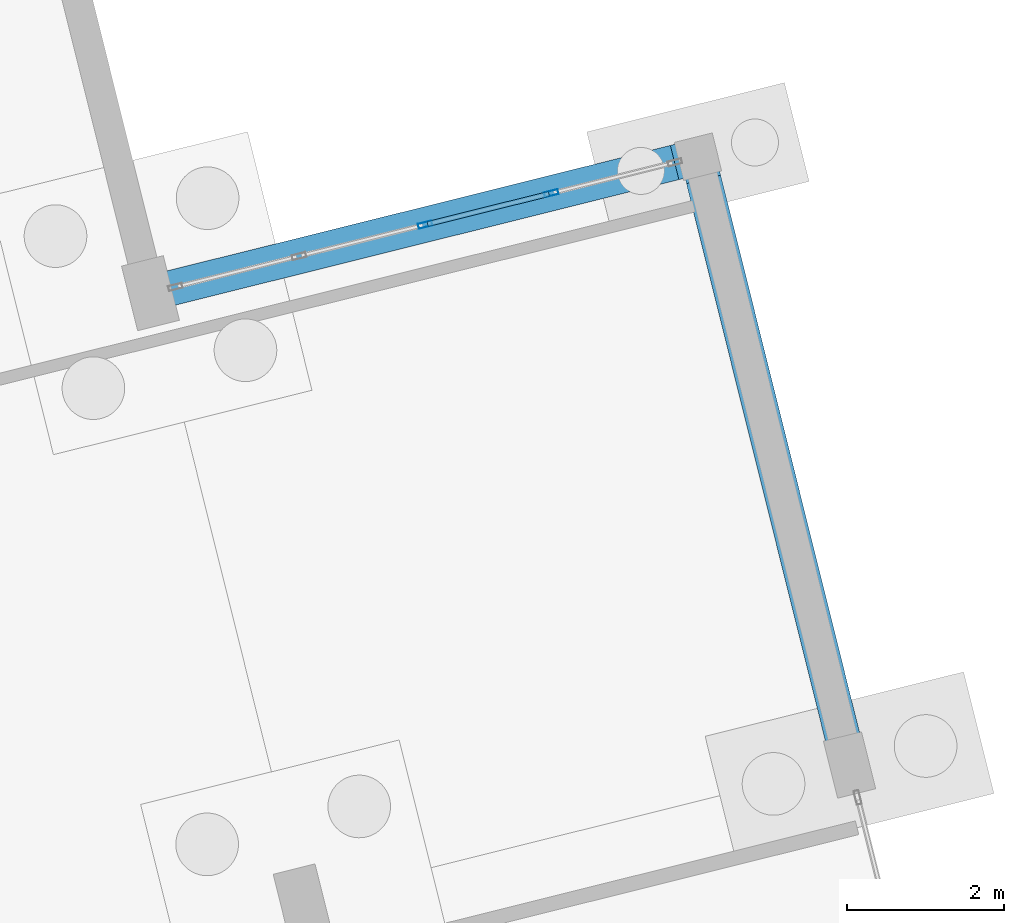
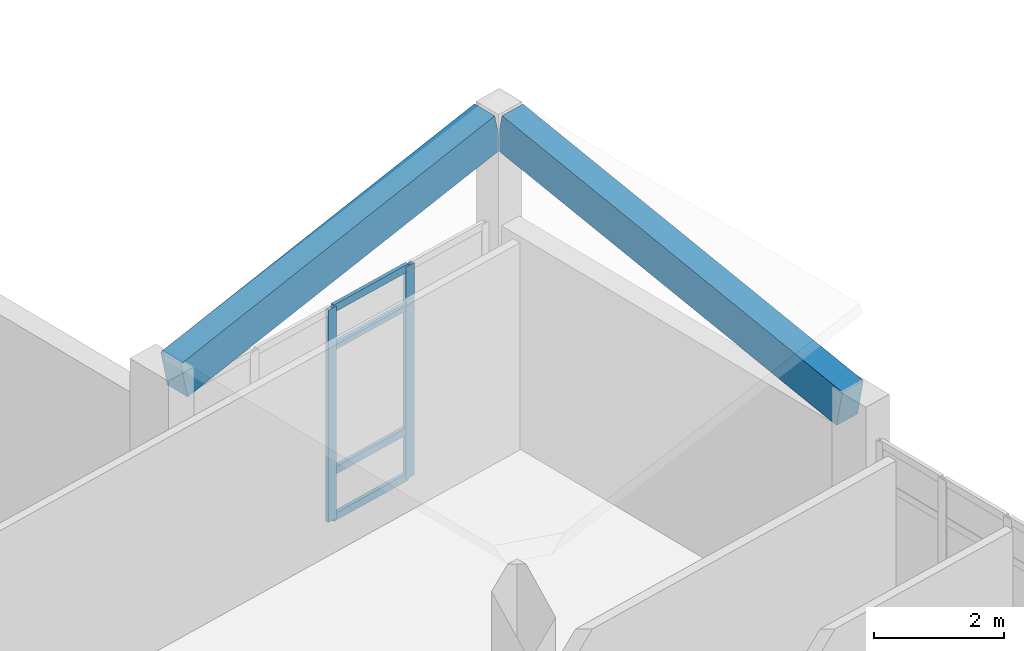
# One storey, part 96 of 173: 6 members, 2 beams, 1 element without a shape of its own.
"""IFC4 building model written with IfcOpenShell, lengths in metres."""

import ifcopenshell
import ifcopenshell.guid

model = None  # the IFC model being written
_history = None  # IfcOwnerHistory: only IFC2X3 demands one
_inside = {}  # id of a spatial element -> (the spatial element, [elements in it])
_under = {}  # id of a project, library or spatial element -> (it, [spatial elements below it])
_declared = {}  # id of a project -> (the project, [libraries it declares])
_typed = {}  # id of a type object -> (the type object, [elements of that type])
_made_of = {}  # id of a material, layer set ... -> (it, [elements and type objects made of it])


def new_model(schema):
    """Start an empty IFC model of exactly this schema.

    Asked for "IFC4X3", IfcOpenShell would pick the latest addendum, in which some entities
    have other attributes; the version numbers below select the first issue.
    IFC2X3 requires an IfcOwnerHistory on every rooted entity: one is made here for all.
    """
    global model, _history
    if schema == "IFC4X3":
        model = ifcopenshell.file(schema_version=(4, 3, 0, 0))
    else:
        model = ifcopenshell.file(schema=schema)
    _inside.clear()
    _under.clear()
    _declared.clear()
    _typed.clear()
    _made_of.clear()
    _history = None
    if model.schema == "IFC2X3":
        org = make("IfcOrganization", Name="unknown")
        user = make(
            "IfcPersonAndOrganization",
            ThePerson=make("IfcPerson", FamilyName="unknown"),
            TheOrganization=org,
        )
        app = make(
            "IfcApplication",
            ApplicationDeveloper=org,
            Version="unknown",
            ApplicationFullName="unknown",
            ApplicationIdentifier="unknown",
        )
        _history = make(
            "IfcOwnerHistory",
            OwningUser=user,
            OwningApplication=app,
            ChangeAction="ADDED",
            CreationDate=0,
        )
    return model


def make(cls, **values):
    """One entity of the class cls with the attributes given. An attribute that is None is left unset."""
    return model.create_entity(
        cls, **{name: value for name, value in values.items() if value is not None}
    )


def rooted(cls, **values):
    """An entity with a GlobalId (a new one), such as an element, a storey or a relation."""
    return make(cls, GlobalId=ifcopenshell.guid.new(), OwnerHistory=_history, **values)


def si_unit(unit_type, name, prefix=None):
    """IfcSIUnit, for example si_unit("LENGTHUNIT", "METRE", prefix="MILLI")."""
    return make("IfcSIUnit", UnitType=unit_type, Prefix=prefix, Name=name)


def assignment(units):
    """IfcUnitAssignment: the units of a project."""
    return None if units is None else make("IfcUnitAssignment", Units=units)


def point(xyz):
    """IfcCartesianPoint."""
    return None if xyz is None else make("IfcCartesianPoint", Coordinates=xyz)


def direction(xyz):
    """IfcDirection."""
    return None if xyz is None else make("IfcDirection", DirectionRatios=xyz)


def frame(location, z_axis=None, x_axis=None):
    """IfcAxis2Placement3D, a coordinate frame: its origin and axes. An axis left out is left unset."""
    return make(
        "IfcAxis2Placement3D",
        Location=point(location),
        Axis=direction(z_axis),
        RefDirection=direction(x_axis),
    )


def frame_2d(location, x_axis=None):
    """IfcAxis2Placement2D, a coordinate frame in the plane: its origin and x axis."""
    return make(
        "IfcAxis2Placement2D", Location=point(location), RefDirection=direction(x_axis)
    )


def origin():
    """The frame at (0, 0, 0) with its axes left unset."""
    return frame((0.0, 0.0, 0.0))


def origin_2d():
    """The frame at (0, 0) in the plane with its x axis left unset."""
    return frame_2d((0.0, 0.0))


def place(relative_to, where):
    """IfcLocalPlacement: puts the frame where relative to a parent placement (None: the world)."""
    return make(
        "IfcLocalPlacement", PlacementRelTo=relative_to, RelativePlacement=where
    )


def context(
    kind, dimensions, precision=None, world=None, true_north=None, identifier=None
):
    """IfcGeometricRepresentationContext, for example the 3D "Model" context."""
    return make(
        "IfcGeometricRepresentationContext",
        ContextIdentifier=identifier,
        ContextType=kind,
        CoordinateSpaceDimension=dimensions,
        Precision=precision,
        WorldCoordinateSystem=world,
        TrueNorth=true_north,
    )


def subcontext(parent, identifier, kind, view, scale=None):
    """IfcGeometricRepresentationSubContext, for example "Body" below "Model"."""
    return make(
        "IfcGeometricRepresentationSubContext",
        ContextIdentifier=identifier,
        ContextType=kind,
        ParentContext=parent,
        TargetScale=scale,
        TargetView=view,
    )


def project(units=None, contexts=None):
    """IfcProject with its units and contexts."""
    return rooted(
        "IfcProject",
        Name="project",
        RepresentationContexts=contexts,
        UnitsInContext=assignment(units),
    )


def spatial(cls, under=None, at=None, **own):
    """A site, building, storey or space (cls), placed at a placement, below another one or the project."""
    s = rooted(cls, ObjectPlacement=at, **own)
    if under is not None:
        _under.setdefault(under.id(), (under, []))[1].append(s)
    return s


def profile(cls, at=None, kind="AREA", **sizes):
    """A parametric profile (cls). Its sizes go by their IFC names, for example OverallWidth=200.0."""
    return make(cls, ProfileType=kind, Position=at, **sizes)


def rectangle(**sizes):
    """IfcRectangleProfileDef."""
    return profile("IfcRectangleProfileDef", **sizes)


def hollow_rectangle(**sizes):
    """IfcRectangleHollowProfileDef."""
    return profile("IfcRectangleHollowProfileDef", **sizes)


def extrude(swept, where, along, depth):
    """IfcExtrudedAreaSolid: the profile swept, set in the frame where, extruded along a direction by depth."""
    return make(
        "IfcExtrudedAreaSolid",
        SweptArea=swept,
        Position=where,
        ExtrudedDirection=direction(along),
        Depth=depth,
    )


def shape(context_of_items, identifier, shape_type, items):
    """IfcShapeRepresentation: the items that make up one representation, for example the "Body"."""
    return make(
        "IfcShapeRepresentation",
        ContextOfItems=context_of_items,
        RepresentationIdentifier=identifier,
        RepresentationType=shape_type,
        Items=items,
    )


def material(Name=None, Category=None):
    """IfcMaterial."""
    return make("IfcMaterial", Name=Name, Category=Category)


def layer(
    of_material, thickness, ventilated=None, Name=None, Category=None, Priority=None
):
    """IfcMaterialLayer: one layer of a wall or slab, of a material (None: an air gap)."""
    return make(
        "IfcMaterialLayer",
        Material=of_material,
        LayerThickness=thickness,
        IsVentilated=ventilated,
        Name=Name,
        Category=Category,
        Priority=Priority,
    )


def layer_set(layers, Name=None):
    """IfcMaterialLayerSet."""
    return make("IfcMaterialLayerSet", MaterialLayers=layers, LayerSetName=Name)


def material_profile(
    of_material, cross_section, Name=None, Category=None, Priority=None
):
    """IfcMaterialProfile: a cross section and its material."""
    return make(
        "IfcMaterialProfile",
        Name=Name,
        Material=of_material,
        Profile=cross_section,
        Priority=Priority,
        Category=Category,
    )


def profile_set(profiles, Name=None, composite=None):
    """IfcMaterialProfileSet."""
    return make(
        "IfcMaterialProfileSet",
        Name=Name,
        MaterialProfiles=profiles,
        CompositeProfile=composite,
    )


def made_of(thing, what):
    """Note that an element or type object is made of a material, layer set ...; save() writes the relation."""
    if what is not None:
        _made_of.setdefault(what.id(), (what, []))[1].append(thing)
    return thing


def type_object(cls, material=None, **own):
    """A type object (cls), such as IfcWallType, which elements share."""
    return made_of(rooted(cls, **own), material)


def element(
    cls,
    number,
    at=None,
    inside=None,
    cuts=None,
    type_object=None,
    material=None,
    context=None,
    identifier="Body",
    shape_type=None,
    held_by="IfcProductDefinitionShape",
    body=None,
    shapes=None,
    **own,
):
    """One element of the class cls, such as IfcWall. Its Tag is "e" and its number.

    at: its placement. inside: the storey or other place that contains it. cuts: it is an
    opening in that element (IfcRelVoidsElement). A single representation is given by context,
    identifier, shape_type and body (its items); several are given by shapes. held_by: the class
    of the entity that holds the representations. save() writes the other relations.
    """
    e = rooted(cls, Tag="e%d" % number, ObjectPlacement=at, **own)
    if body is not None:
        shapes = [shape(context, identifier, shape_type, body)]
    if shapes is not None:
        e.Representation = make(held_by, Representations=shapes)
    if inside is not None:
        _inside.setdefault(inside.id(), (inside, []))[1].append(e)
    if cuts is not None:
        rooted(
            "IfcRelVoidsElement", RelatingBuildingElement=cuts, RelatedOpeningElement=e
        )
    if type_object is not None:
        _typed.setdefault(type_object.id(), (type_object, []))[1].append(e)
    return made_of(e, material)


def aggregate(whole, parts):
    """IfcRelAggregates: a whole, such as a stair, and the parts it consists of."""
    return rooted("IfcRelAggregates", RelatingObject=whole, RelatedObjects=parts)


def save(model, path):
    """Write the relations noted so far, then the file.

    IfcRelAggregates (storeys below a building ...), IfcRelContainedInSpatialStructure (elements
    in a storey), IfcRelDefinesByType, IfcRelAssociatesMaterial and IfcRelDeclares: one each for
    every whole, place, type object, material and project.
    """
    for whole, parts in _under.values():
        aggregate(whole, parts)
    for where, things in _inside.values():
        rooted(
            "IfcRelContainedInSpatialStructure",
            RelatedElements=things,
            RelatingStructure=where,
        )
    for kind, things in _typed.values():
        rooted("IfcRelDefinesByType", RelatedObjects=things, RelatingType=kind)
    for what, things in _made_of.values():
        rooted("IfcRelAssociatesMaterial", RelatedObjects=things, RelatingMaterial=what)
    for by, libraries in _declared.values():
        rooted("IfcRelDeclares", RelatingContext=by, RelatedDefinitions=libraries)
    model.write(path)


model = new_model("IFC4")

# Units and contexts
model_context = context("Model", 3, precision=1e-05, world=origin(), true_north=direction((0.0, 1.0)))
body_context = subcontext(model_context, "Body", "Model", "MODEL_VIEW")
ifc_project = project(units=[si_unit("LENGTHUNIT", "METRE"), si_unit("AREAUNIT", "SQUARE_METRE"), si_unit("VOLUMEUNIT", "CUBIC_METRE"), si_unit("PLANEANGLEUNIT", "RADIAN"), si_unit("MASSUNIT", "GRAM", prefix="KILO")], contexts=[model_context])

# Site, building, storey
site_placement = place(None, origin())
site = spatial("IfcSite", under=ifc_project, at=site_placement, CompositionType="ELEMENT")
building_placement = place(site_placement, origin())
building = spatial("IfcBuilding", under=site, at=building_placement, Name="Mawjan Specialist Oncology Clinic", CompositionType="ELEMENT")
storey_placement = place(building_placement, origin())
storey = spatial("IfcBuildingStorey", under=building, at=storey_placement, Name="L00", CompositionType="ELEMENT", Elevation=0.0)

# Beams
ifc_material_1 = material(Name="Concrete C40/50", Category="concrete")
ifc_material_profile_1 = material_profile(ifc_material_1, rectangle(XDim=0.449951171875, YDim=0.699951171875, at=origin_2d()), Name="RC BM 450x700", Category="concrete")
ifc_profile_set_1 = profile_set([ifc_material_profile_1], Name="Concrete C40/50")
beam_type = type_object("IfcBeamType", Name="BM-450x700", PredefinedType="BEAM", material=ifc_profile_set_1)
beam_1_placement = place(storey_placement, frame((148.390625, 31.117431640625, 4.35009765625), z_axis=(0.949933177484, 0.236841640318, 0.203796456608), x_axis=(-0.24191872054, 0.970296517902, 0.0)))
element("IfcBeam", 1, at=beam_1_placement, inside=storey, type_object=beam_type, Name="L00 Roof Framing Beam BM-RF-L00-1284", PredefinedType="BEAM", context=body_context, shape_type="SweptSolid", body=[
    extrude(rectangle(XDim=0.449951171875, YDim=0.699951171875, at=origin_2d()), origin(), (0.0, 0.0, 1.0), 6.8486328125),
])
beam_2_placement = place(storey_placement, frame((157.0029296875, 25.261962890625, 4.35009765625), z_axis=(-0.237850900819, 0.954049578986, 0.182253531696), x_axis=(-0.970300590366, -0.241902385963, 0.0)))
element("IfcBeam", 2, at=beam_2_placement, inside=storey, type_object=beam_type, Name="L00 Roof Framing Beam BM-RF-L00-1285", PredefinedType="BEAM", context=body_context, shape_type="SweptSolid", body=[
    extrude(rectangle(XDim=0.449951171875, YDim=0.699951171875, at=origin_2d()), origin(), (0.0, 0.0, 1.0), 7.658203125),
])

# Curtain wall, members
ifc_material_2 = material(Name="Unitised spectrally selective aluminium curtain wall", Category="aluminium")
ifc_layer = layer(ifc_material_2, 0.179931640625, Name="Unitised spectrally selective aluminium curtain wall", Category="aluminium")
ifc_layer_set = layer_set([ifc_layer], Name="Unitised spectrally selective aluminium curtain wall")
curtain_wall_type = type_object("IfcCurtainWallType", Name="CW-41", PredefinedType="NOTDEFINED", material=ifc_layer_set)
curtain_wall_placement = place(storey_placement, origin())
curtain_wall = element("IfcCurtainWall", 3, at=curtain_wall_placement, inside=storey, type_object=curtain_wall_type, Name="L00 Unitised Curtain Wall CW-L00-085", PredefinedType="NOTDEFINED")
ifc_material_3 = material(Name="Thermally broken aluminium 6063-T6", Category="aluminium")
ifc_material_profile_2 = material_profile(ifc_material_3, hollow_rectangle(XDim=0.06494140625, YDim=0.179931640625, WallThickness=0.00390625, at=origin_2d()), Name="ALU MULLION 180x65x4", Category="aluminium")
ifc_profile_set_2 = profile_set([ifc_material_profile_2], Name="Thermally broken aluminium 6063-T6")
member_type_1 = type_object("IfcMemberType", Name="CW-M180", PredefinedType="MULLION", material=ifc_profile_set_2)
member_1_placement = place(storey_placement, frame((151.6435546875, 31.928466796875, 0.0), z_axis=(0.0, 0.0, 1.0), x_axis=(-0.241921932281, 0.97029571713, 0.0)))
member_1 = element("IfcMember", 4, at=member_1_placement, type_object=member_type_1, Name="CW-41 mullion 3", PredefinedType="MULLION", context=body_context, shape_type="SweptSolid", body=[
    extrude(hollow_rectangle(XDim=0.06494140625, YDim=0.179931640625, WallThickness=0.00390625, at=origin_2d()), origin(), (0.0, 0.0, 1.0), 3.985107421875),
])
member_2_placement = place(storey_placement, frame((153.253173828125, 32.32958984375, 0.0), z_axis=(0.0, 0.0, 1.0), x_axis=(-0.241921932281, 0.97029571713, 0.0)))
member_2 = element("IfcMember", 5, at=member_2_placement, type_object=member_type_1, Name="CW-41 mullion 4", PredefinedType="MULLION", context=body_context, shape_type="SweptSolid", body=[
    extrude(hollow_rectangle(XDim=0.06494140625, YDim=0.179931640625, WallThickness=0.00390625, at=origin_2d()), origin(), (0.0, 0.0, 1.0), 3.985107421875),
])
ifc_material_4 = material(Name="Thermally broken aluminium 6063-T6", Category="aluminium")
ifc_material_profile_3 = material_profile(ifc_material_4, hollow_rectangle(XDim=0.06494140625, YDim=0.139892578125, WallThickness=0.00390625, at=origin_2d()), Name="ALU TRANSOM 140x65x4", Category="aluminium")
ifc_profile_set_3 = profile_set([ifc_material_profile_3], Name="Thermally broken aluminium 6063-T6")
member_type_2 = type_object("IfcMemberType", Name="CW-T140", PredefinedType="USERDEFINED", material=ifc_profile_set_3)
member_3_placement = place(storey_placement, frame((151.675048828125, 31.936279296875, 0.032470703125), z_axis=(0.970304484208, 0.241886766745, 0.0), x_axis=(-0.241886766745, 0.970304484208, 0.0)))
member_3 = element("IfcMember", 6, at=member_3_placement, type_object=member_type_2, Name="CW-41 transom 3.1", ObjectType="TRANSOM", PredefinedType="USERDEFINED", context=body_context, shape_type="SweptSolid", body=[
    extrude(hollow_rectangle(XDim=0.06494140625, YDim=0.139892578125, WallThickness=0.00390625, at=origin_2d()), origin(), (0.0, 0.0, 1.0), 1.59375),
])
member_4_placement = place(storey_placement, frame((151.675048828125, 31.936279296875, 0.89990234375), z_axis=(0.970304484208, 0.241886766745, 0.0), x_axis=(-0.241886766745, 0.970304484208, 0.0)))
member_4 = element("IfcMember", 7, at=member_4_placement, type_object=member_type_2, Name="CW-41 transom 3.2", ObjectType="TRANSOM", PredefinedType="USERDEFINED", context=body_context, shape_type="SweptSolid", body=[
    extrude(hollow_rectangle(XDim=0.06494140625, YDim=0.139892578125, WallThickness=0.00390625, at=origin_2d()), origin(), (0.0, 0.0, 1.0), 1.59375),
])
member_5_placement = place(storey_placement, frame((151.675048828125, 31.936279296875, 3.235107421875), z_axis=(0.970304484208, 0.241886766745, 0.0), x_axis=(-0.241886766745, 0.970304484208, 0.0)))
member_5 = element("IfcMember", 8, at=member_5_placement, type_object=member_type_2, Name="CW-41 transom 3.3", ObjectType="TRANSOM", PredefinedType="USERDEFINED", context=body_context, shape_type="SweptSolid", body=[
    extrude(hollow_rectangle(XDim=0.06494140625, YDim=0.139892578125, WallThickness=0.00390625, at=origin_2d()), origin(), (0.0, 0.0, 1.0), 1.59375),
])
member_6_placement = place(storey_placement, frame((151.675048828125, 31.936279296875, 3.952392578125), z_axis=(0.970304484208, 0.241886766745, 0.0), x_axis=(-0.241886766745, 0.970304484208, 0.0)))
member_6 = element("IfcMember", 9, at=member_6_placement, type_object=member_type_2, Name="CW-41 transom 3.4", ObjectType="TRANSOM", PredefinedType="USERDEFINED", context=body_context, shape_type="SweptSolid", body=[
    extrude(hollow_rectangle(XDim=0.06494140625, YDim=0.139892578125, WallThickness=0.00390625, at=origin_2d()), origin(), (0.0, 0.0, 1.0), 1.59375),
])
aggregate(curtain_wall, [member_1, member_2, member_3, member_4, member_5, member_6])

save(model, "model.ifc")
